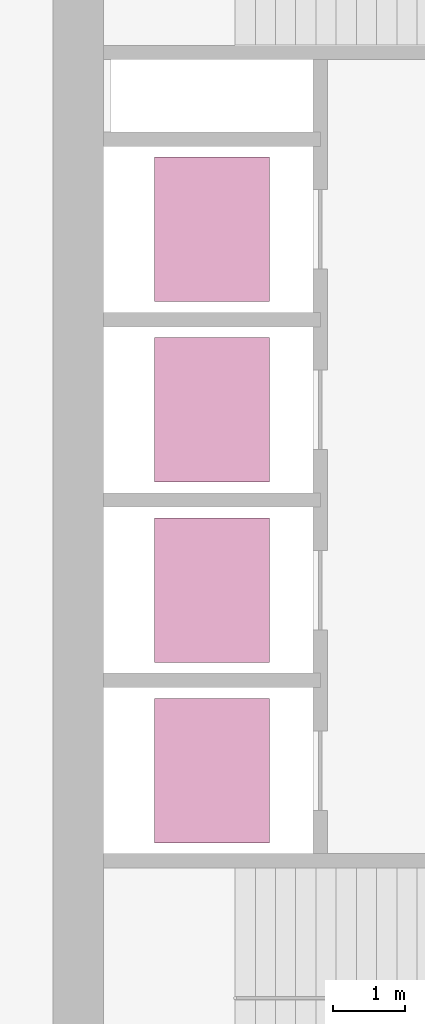
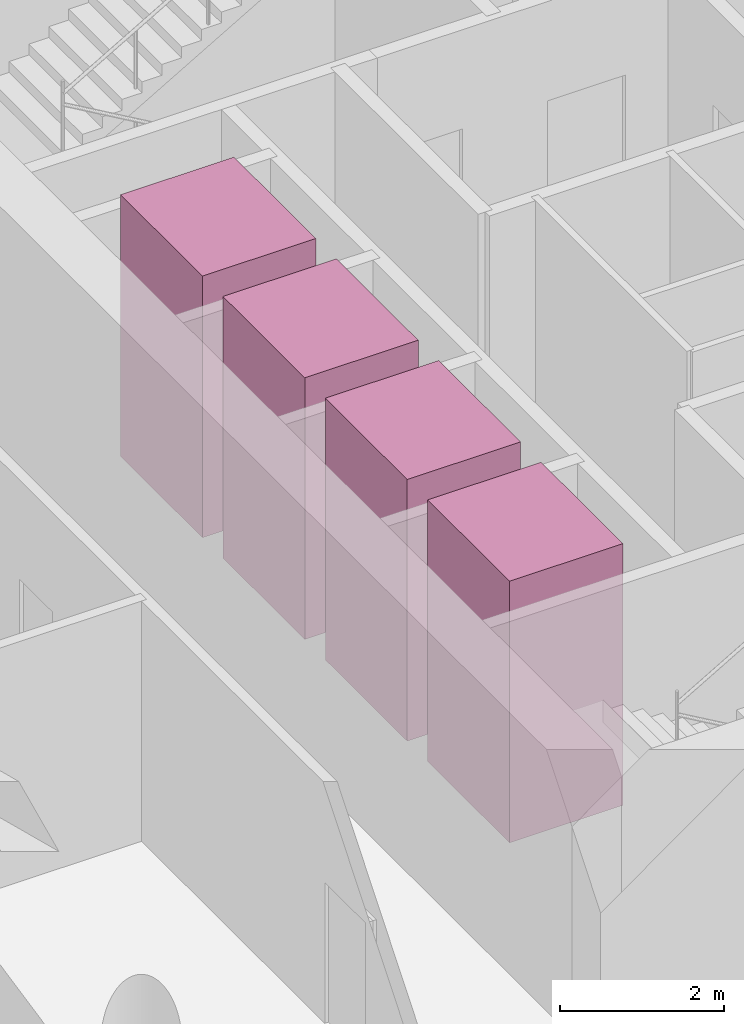
# One storey, part 10 of 10: 4 transport elements.
"""IFC4 building model written with IfcOpenShell, lengths in metres."""

from ifc_helpers import new_model, si_unit, direction, frame, origin, origin_2d, place, context, subcontext, project, spatial, rectangle, extrude, material, type_object, element, save


model = new_model("IFC4")

# Units and contexts
model_context = context("Model", 3, precision=1e-05, world=origin(), true_north=direction((0.0, 1.0)))
body_context = subcontext(model_context, "Body", "Model", "MODEL_VIEW")
ifc_project = project(units=[si_unit("LENGTHUNIT", "METRE"), si_unit("AREAUNIT", "SQUARE_METRE"), si_unit("VOLUMEUNIT", "CUBIC_METRE"), si_unit("PLANEANGLEUNIT", "RADIAN"), si_unit("MASSUNIT", "GRAM", prefix="KILO")], contexts=[model_context])

# Site, building, storey
site_placement = place(None, origin())
site = spatial("IfcSite", under=ifc_project, at=site_placement, CompositionType="ELEMENT")
building_placement = place(site_placement, origin())
building = spatial("IfcBuilding", under=site, at=building_placement, Name="Qaws Garden Tower", CompositionType="ELEMENT")
storey_placement = place(building_placement, frame((0.0, 0.0, 182.39990234375)))
storey = spatial("IfcBuildingStorey", under=building, at=storey_placement, Name="L44", CompositionType="ELEMENT", Elevation=182.39990234375)

# Transport elements
ifc_material = material(Name="Stainless steel 316", Category="steel")
transport_element_type = type_object("IfcTransportElementType", Name="Passenger lift car 2000x1600 1800 kg", PredefinedType="ELEVATOR", material=ifc_material)
for number, where, z_axis, x_axis, name in (
    (1, (10.199951171875, 13.64990234375, 0.000244140625), (0.0, 0.0, 1.0), (1.0, 0.0, 0.0), "MR1"),
    (2, (10.199951171875, 16.14990234375, 0.000244140625), (0.0, 0.0, 1.0), (1.0, 0.0, 0.0), "MR2"),
    (3, (10.199951171875, 18.64990234375, 0.000244140625), (0.0, 0.0, 1.0), (1.0, 0.0, 0.0), "MR3"),
    (4, (10.199951171875, 21.14990234375, 0.000244140625), (0.0, 0.0, 1.0), (1.0, 0.0, 0.0), "MR4"),
):
    element("IfcTransportElement", number, at=place(storey_placement, frame(where, z_axis=z_axis, x_axis=x_axis)), inside=storey, type_object=transport_element_type, Name=name, PredefinedType="ELEVATOR", context=body_context, shape_type="SweptSolid", body=[
        extrude(rectangle(XDim=1.60009765625, YDim=2.0, at=origin_2d()), origin(), (0.0, 0.0, 1.0), 3.89990234375),
    ])

save(model, "model.ifc")
